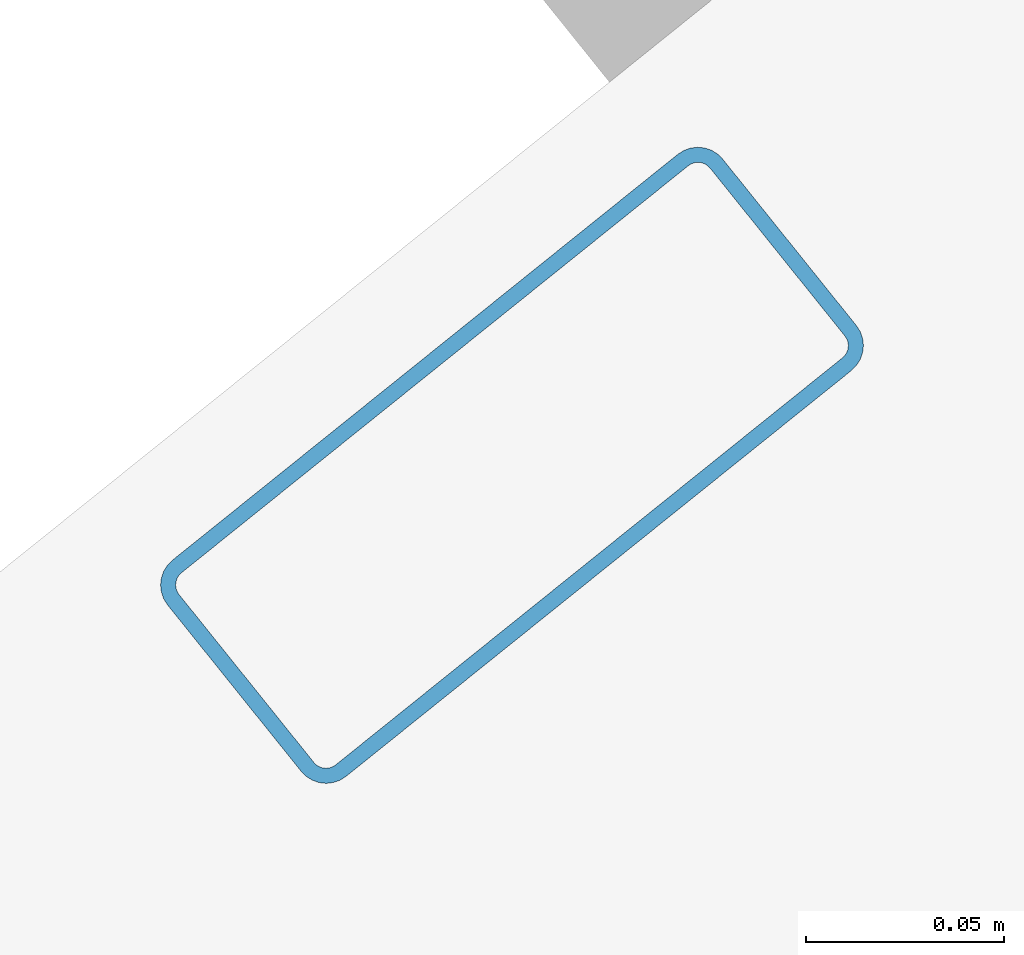
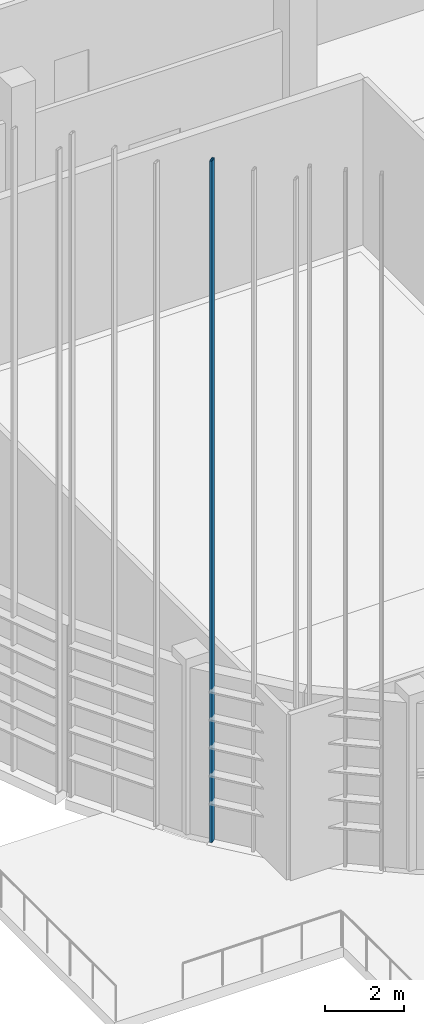
# One storey, part 183 of 372: 1 member.
"""IFC4 building model written with IfcOpenShell, lengths in metres."""

from ifc_helpers import new_model, si_unit, direction, frame, origin, origin_2d, place, context, subcontext, project, spatial, hollow_rectangle, extrude, material, material_profile, profile_set, type_object, element, save


model = new_model("IFC4")

# Units and contexts
model_context = context("Model", 3, precision=1e-05, world=origin(), true_north=direction((0.0, 1.0)))
body_context = subcontext(model_context, "Body", "Model", "MODEL_VIEW")
ifc_project = project(units=[si_unit("LENGTHUNIT", "METRE"), si_unit("AREAUNIT", "SQUARE_METRE"), si_unit("VOLUMEUNIT", "CUBIC_METRE"), si_unit("PLANEANGLEUNIT", "RADIAN"), si_unit("MASSUNIT", "GRAM", prefix="KILO")], contexts=[model_context])

# Site, building, storey
site_placement = place(None, origin())
site = spatial("IfcSite", under=ifc_project, at=site_placement, CompositionType="ELEMENT")
building_placement = place(site_placement, origin())
building = spatial("IfcBuilding", under=site, at=building_placement, Name="Kaelora Sail Theatre", CompositionType="ELEMENT")
storey_placement = place(building_placement, origin())
storey = spatial("IfcBuildingStorey", under=building, at=storey_placement, Name="L00", CompositionType="ELEMENT", Elevation=0.0)

# Member
ifc_material = material(Name="Anodised aluminium 6063-T6", Category="aluminium")
ifc_material_profile = material_profile(ifc_material, hollow_rectangle(XDim=0.070068359375, YDim=0.179931640625, WallThickness=0.00390625, InnerFilletRadius=0.00390625, OuterFilletRadius=0.008056640625, at=origin_2d()), Name="ALU-MULL 70x180x4")
ifc_profile_set = profile_set([ifc_material_profile], Name="Anodised aluminium 6063-T6")
member_type = type_object("IfcMemberType", Name="ARC-MEM-PST-160", PredefinedType="POST", material=ifc_profile_set)
member_placement = place(storey_placement, frame((81.96630859375, 36.231689453125, 0.0), z_axis=(0.0, 0.0, 1.0), x_axis=(-0.626195665085, 0.779665947075, 0.0)))
element("IfcMember", 1, at=member_placement, inside=storey, type_object=member_type, Name="Studio Theatre Sail Drum solar louvre vertical support post C14-3", PredefinedType="POST", context=body_context, shape_type="SweptSolid", body=[
    extrude(hollow_rectangle(XDim=0.070068359375, YDim=0.179931640625, WallThickness=0.00390625, InnerFilletRadius=0.00390625, OuterFilletRadius=0.008056640625, at=origin_2d()), origin(), (0.0, 0.0, 1.0), 20.927978515625),
])

save(model, "model.ifc")
